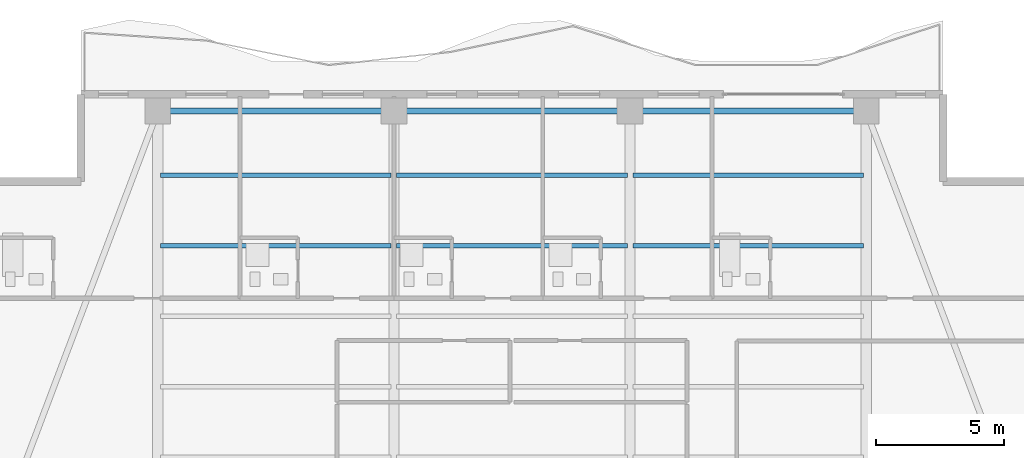
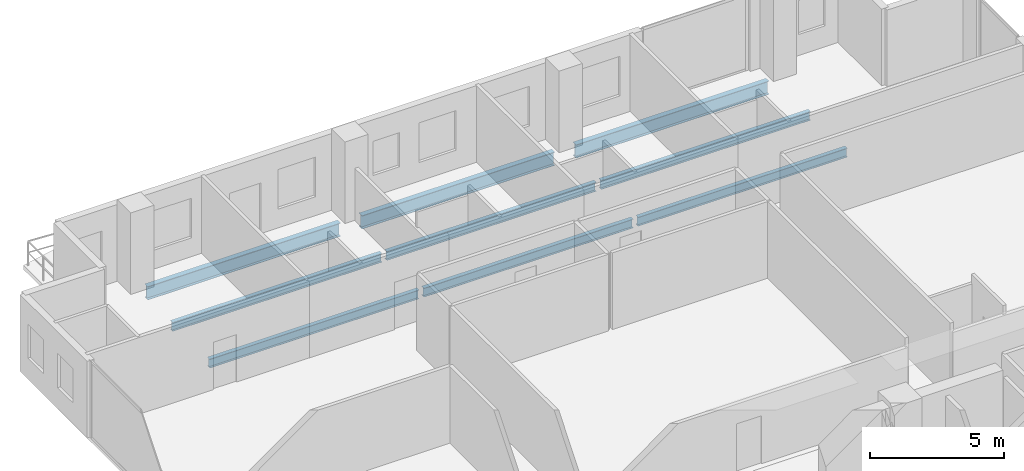
# One storey, part 13 of 25: 9 beams.
"""IFC4 building model written with IfcOpenShell, lengths in metres."""

from ifc_helpers import new_model, si_unit, direction, frame, origin, origin_2d, place, context, subcontext, project, spatial, i_section, extrude, material, material_profile, profile_set, type_object, element, save


model = new_model("IFC4")

# Units and contexts
model_context = context("Model", 3, precision=1e-05, world=origin(), true_north=direction((0.0, 1.0)))
body_context = subcontext(model_context, "Body", "Model", "MODEL_VIEW")
ifc_project = project(units=[si_unit("LENGTHUNIT", "METRE"), si_unit("AREAUNIT", "SQUARE_METRE"), si_unit("VOLUMEUNIT", "CUBIC_METRE"), si_unit("PLANEANGLEUNIT", "RADIAN"), si_unit("MASSUNIT", "GRAM", prefix="KILO")], contexts=[model_context])

# Site, building, storey
site_placement = place(None, origin())
site = spatial("IfcSite", under=ifc_project, at=site_placement, CompositionType="ELEMENT")
building_placement = place(site_placement, origin())
building = spatial("IfcBuilding", under=site, at=building_placement, Name="Zuhayl Quay Hotel", CompositionType="ELEMENT")
storey_placement = place(building_placement, frame((0.0, 0.0, 243.35009765625)))
storey = spatial("IfcBuildingStorey", under=building, at=storey_placement, Name="L61", CompositionType="ELEMENT", Elevation=243.35009765625)

# Beams
ifc_material = material(Name="Steel ASTM A992 Grade 50", Category="steel")
ifc_material_profile_1 = material_profile(ifc_material, i_section(OverallWidth=0.22802734375, OverallDepth=0.60693359375, WebThickness=0.01123046875, FlangeThickness=0.017333984375, at=origin_2d()), Name="W24X76")
ifc_profile_set_1 = profile_set([ifc_material_profile_1], Name="Steel ASTM A992 Grade 50")
beam_type_1 = type_object("IfcBeamType", Name="BM_B3_W24X76", PredefinedType="BEAM", material=ifc_profile_set_1)
beam_1_placement = place(storey_placement, frame((13.340087890625, 38.35009765625, -0.523681640625), z_axis=(-1.0, 0.0, 0.0), x_axis=(0.0, -1.0, 0.0)))
element("IfcBeam", 1, at=beam_1_placement, inside=storey, type_object=beam_type_1, Name="L61 Floor Beam RG_L61_07", PredefinedType="BEAM", context=body_context, shape_type="SweptSolid", body=[
    extrude(i_section(OverallWidth=0.22802734375, OverallDepth=0.60693359375, WebThickness=0.01123046875, FlangeThickness=0.017333984375, at=origin_2d()), origin(), (0.0, 0.0, 1.0), 8.280029296875),
])
beam_2_placement = place(storey_placement, frame((4.139892578125, 38.35009765625, -0.523681640625), z_axis=(-1.0, 0.0, 0.0), x_axis=(0.0, -1.0, 0.0)))
element("IfcBeam", 2, at=beam_2_placement, inside=storey, type_object=beam_type_1, Name="L61 Floor Beam RG_L61_08", PredefinedType="BEAM", context=body_context, shape_type="SweptSolid", body=[
    extrude(i_section(OverallWidth=0.22802734375, OverallDepth=0.60693359375, WebThickness=0.01123046875, FlangeThickness=0.017333984375, at=origin_2d()), origin(), (0.0, 0.0, 1.0), 8.27978515625),
])
beam_3_placement = place(storey_placement, frame((-5.06005859375, 38.35009765625, -0.523681640625), z_axis=(-1.0, 0.0, 0.0), x_axis=(0.0, -1.0, 0.0)))
element("IfcBeam", 3, at=beam_3_placement, inside=storey, type_object=beam_type_1, Name="L61 Floor Beam RG_L61_09", PredefinedType="BEAM", context=body_context, shape_type="SweptSolid", body=[
    extrude(i_section(OverallWidth=0.22802734375, OverallDepth=0.60693359375, WebThickness=0.01123046875, FlangeThickness=0.017333984375, at=origin_2d()), origin(), (0.0, 0.0, 1.0), 8.280029296875),
])
ifc_material_profile_2 = material_profile(ifc_material, i_section(OverallWidth=0.177978515625, OverallDepth=0.404052734375, WebThickness=0.007568359375, FlangeThickness=0.010986328125, at=origin_2d()), Name="W16X36")
ifc_profile_set_2 = profile_set([ifc_material_profile_2], Name="Steel ASTM A992 Grade 50")
beam_type_2 = type_object("IfcBeamType", Name="BM_J3_W16X36", PredefinedType="JOIST", material=ifc_profile_set_2)
beam_4_placement = place(storey_placement, frame((-13.694091796875, 33.10009765625, -0.422119140625), z_axis=(1.0, 0.0, 0.0), x_axis=(0.0, 1.0, 0.0)))
element("IfcBeam", 4, at=beam_4_placement, inside=storey, type_object=beam_type_2, Name="L61 Floor Beam FJ_L61_7_1", PredefinedType="JOIST", context=body_context, shape_type="SweptSolid", body=[
    extrude(i_section(OverallWidth=0.177978515625, OverallDepth=0.404052734375, WebThickness=0.007568359375, FlangeThickness=0.010986328125, at=origin_2d()), origin(), (0.0, 0.0, 1.0), 8.988037109375),
])
beam_5_placement = place(storey_placement, frame((-4.493896484375, 33.10009765625, -0.422119140625), z_axis=(1.0, 0.0, 0.0), x_axis=(0.0, 1.0, 0.0)))
element("IfcBeam", 5, at=beam_5_placement, inside=storey, type_object=beam_type_2, Name="L61 Floor Beam FJ_L61_7_2", PredefinedType="JOIST", context=body_context, shape_type="SweptSolid", body=[
    extrude(i_section(OverallWidth=0.177978515625, OverallDepth=0.404052734375, WebThickness=0.007568359375, FlangeThickness=0.010986328125, at=origin_2d()), origin(), (0.0, 0.0, 1.0), 8.98779296875),
])
for number, where, z_axis, x_axis, name in (
    (6, (4.7060546875, 33.10009765625, -0.422119140625), (1.0, 0.0, 0.0), (0.0, 1.0, 0.0), "L61 Floor Beam FJ_L61_7_3"),
    (7, (-13.694091796875, 35.85009765625, -0.422119140625), (1.0, 0.0, 0.0), (0.0, 1.0, 0.0), "L61 Floor Beam FJ_L61_8_1"),
):
    element("IfcBeam", number, at=place(storey_placement, frame(where, z_axis=z_axis, x_axis=x_axis)), inside=storey, type_object=beam_type_2, Name=name, PredefinedType="JOIST", context=body_context, shape_type="SweptSolid", body=[
        extrude(i_section(OverallWidth=0.177978515625, OverallDepth=0.404052734375, WebThickness=0.007568359375, FlangeThickness=0.010986328125, at=origin_2d()), origin(), (0.0, 0.0, 1.0), 8.988037109375),
    ])
beam_6_placement = place(storey_placement, frame((-4.493896484375, 35.85009765625, -0.422119140625), z_axis=(1.0, 0.0, 0.0), x_axis=(0.0, 1.0, 0.0)))
element("IfcBeam", 8, at=beam_6_placement, inside=storey, type_object=beam_type_2, Name="L61 Floor Beam FJ_L61_8_2", PredefinedType="JOIST", context=body_context, shape_type="SweptSolid", body=[
    extrude(i_section(OverallWidth=0.177978515625, OverallDepth=0.404052734375, WebThickness=0.007568359375, FlangeThickness=0.010986328125, at=origin_2d()), origin(), (0.0, 0.0, 1.0), 8.98779296875),
])
beam_7_placement = place(storey_placement, frame((4.7060546875, 35.85009765625, -0.422119140625), z_axis=(1.0, 0.0, 0.0), x_axis=(0.0, 1.0, 0.0)))
element("IfcBeam", 9, at=beam_7_placement, inside=storey, type_object=beam_type_2, Name="L61 Floor Beam FJ_L61_8_3", PredefinedType="JOIST", context=body_context, shape_type="SweptSolid", body=[
    extrude(i_section(OverallWidth=0.177978515625, OverallDepth=0.404052734375, WebThickness=0.007568359375, FlangeThickness=0.010986328125, at=origin_2d()), origin(), (0.0, 0.0, 1.0), 8.988037109375),
])

save(model, "model.ifc")
